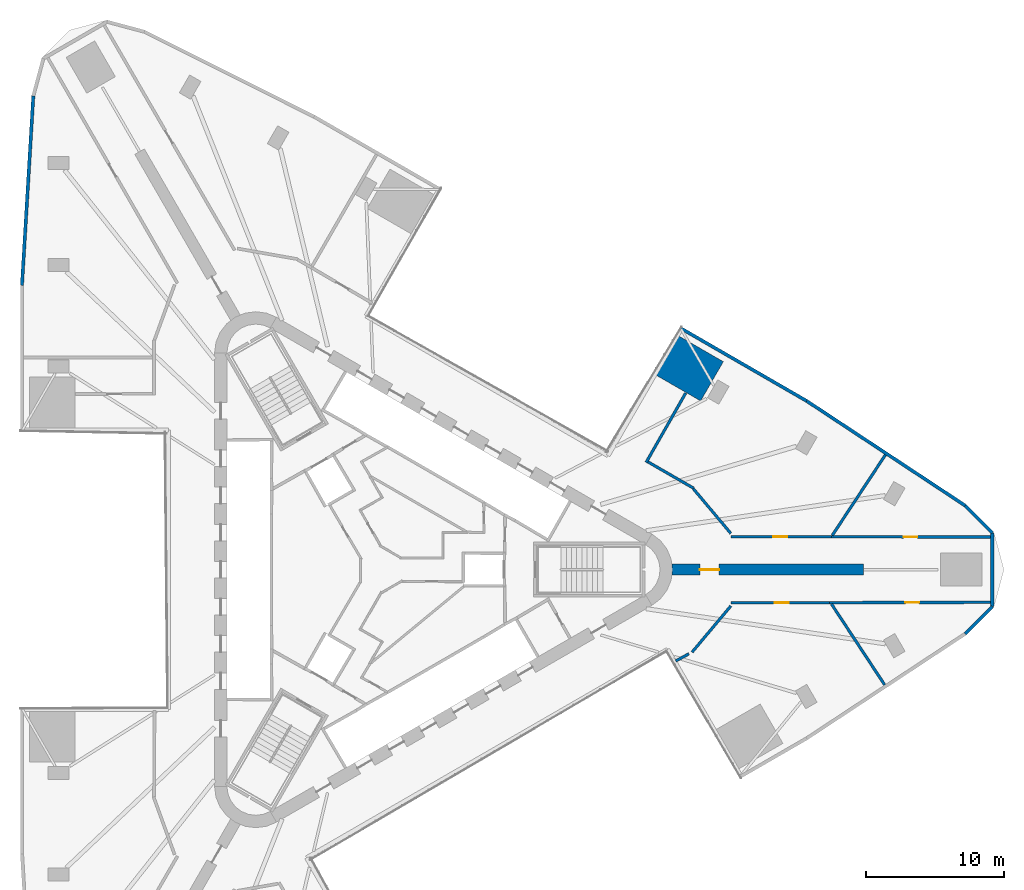
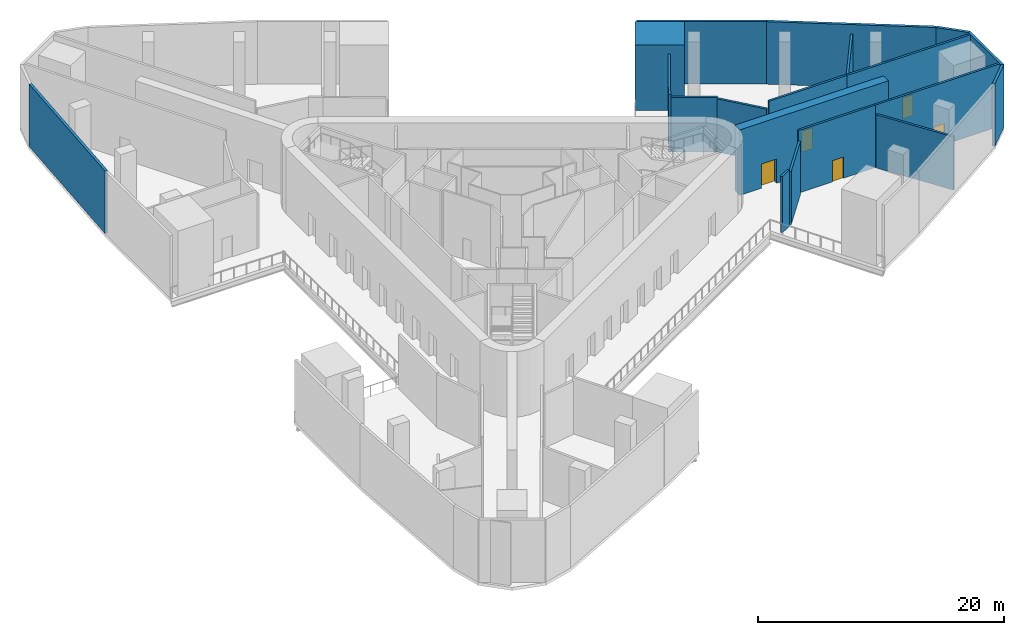
# One storey, part 7 of 11: 19 walls, 5 doors, 5 openings.
"""IFC4 building model written with IfcOpenShell, lengths in metres."""

from ifc_helpers import new_model, si_unit, direction, frame, frame_2d, origin, place, context, subcontext, project, spatial, polyline, rectangle, outline, extrude, material, layer, layer_set, type_object, element, fill, save


model = new_model("IFC4")

# Units and contexts
model_context = context("Model", 3, precision=1e-05, world=origin(), true_north=direction((0.0, 1.0)))
body_context = subcontext(model_context, "Body", "Model", "MODEL_VIEW")
ifc_project = project(units=[si_unit("LENGTHUNIT", "METRE"), si_unit("AREAUNIT", "SQUARE_METRE"), si_unit("VOLUMEUNIT", "CUBIC_METRE"), si_unit("PLANEANGLEUNIT", "RADIAN"), si_unit("MASSUNIT", "GRAM", prefix="KILO")], contexts=[model_context])

# Site, building, storey
site_placement = place(None, origin())
site = spatial("IfcSite", under=ifc_project, at=site_placement, CompositionType="ELEMENT")
building_placement = place(site_placement, origin())
building = spatial("IfcBuilding", under=site, at=building_placement, Name="Tanit Gate Tower", CompositionType="ELEMENT")
storey_placement = place(building_placement, frame((0.0, 0.0, 9.0)))
storey = spatial("IfcBuildingStorey", under=building, at=storey_placement, Name="L01", CompositionType="ELEMENT", Elevation=9.0)

# Wall, opening, door
ifc_material_1 = material(Name="Concrete C60/75", Category="concrete")
ifc_layer_1 = layer(ifc_material_1, 0.800048828125)
ifc_layer_set_1 = layer_set([ifc_layer_1], Name="BUTTRESS FIN 800 C60/75")
wall_type_1 = type_object("IfcWallType", Name="BUTTRESS FIN 800 C60/75", PredefinedType="SHEAR", material=ifc_layer_set_1)
wall_1_placement = place(storey_placement, frame((21.14990234375, 0.0, 0.0), z_axis=(0.0, 0.0, 1.0), x_axis=(1.0, 0.0, 0.0)))
wall_1 = element("IfcWall", 1, at=wall_1_placement, inside=storey, type_object=wall_type_1, Name="BUTTRESS FIN", PredefinedType="SHEAR", context=body_context, shape_type="SweptSolid", body=[
    extrude(rectangle(XDim=13.9541015625, YDim=0.800048828125, at=frame_2d((6.97705078125, 0.0))), origin(), (0.0, 0.0, 1.0), 6.5),
])
opening_1_placement = place(wall_1_placement, frame((2.050048828125, 0.0, 0.0)))
opening_1 = element("IfcOpeningElement", 2, at=opening_1_placement, cuts=wall_1, Name="Opening P14-01-F-E-1", PredefinedType="OPENING", context=body_context, shape_type="SweptSolid", body=[
    extrude(rectangle(XDim=1.39990234375, YDim=2.39990234375, at=frame_2d((0.699951171875, 1.199951171875))), frame((0.0, 0.41015625, 0.0), z_axis=(0.0, -1.0, 0.0), x_axis=(1.0, 0.0, 0.0)), (0.0, 0.0, 1.0), 0.820068359375),
])
ifc_material_2 = material(Name="Timber door leaf", Category="wood")
door_type_1 = type_object("IfcDoorType", Name="INT-DOOR-FIN-PAIR-1400", OperationType="NOTDEFINED", PredefinedType="NOTDEFINED", material=ifc_material_2)
door_1_placement = place(opening_1_placement, origin())
door_1 = element("IfcDoor", 3, at=door_1_placement, inside=storey, type_object=door_type_1, Name="Door P14-01-F-E-1", OperationType="DOUBLE_DOOR_SINGLE_SWING", OverallHeight=2.39990234375, OverallWidth=1.39990234375, PredefinedType="NOTDEFINED", context=body_context, shape_type="SweptSolid", body=[
    extrude(rectangle(XDim=1.39990234375, YDim=2.39990234375, at=frame_2d((0.699951171875, 1.199951171875))), frame((0.0, 0.02490234375, 0.0), z_axis=(0.0, -1.0, 0.0), x_axis=(1.0, 0.0, 0.0)), (0.0, 0.0, 1.0), 0.050048828125),
])
fill(opening_1, door_1)

# Walls
ifc_material_3 = material(Name="Concrete C30/37 with bronze anodised aluminium cladding", Category="concrete")
ifc_layer_2 = layer(ifc_material_3, 0.239990234375)
ifc_layer_set_2 = layer_set([ifc_layer_2], Name="Facade wall bronze clad 240")
wall_type_2 = type_object("IfcWallType", Name="Facade wall bronze clad 240", PredefinedType="SOLIDWALL", material=ifc_layer_set_2)
wall_2_placement = place(storey_placement, frame((42.4873046875, 4.665771484375, 0.0), z_axis=(0.0, 0.0, 1.0), x_axis=(-0.834569880428, 0.550902091739, 0.0)))
element("IfcWall", 4, at=wall_2_placement, inside=storey, type_object=wall_type_2, Name="Bronze-clad facade wall L01 NE1", PredefinedType="SOLIDWALL", context=body_context, shape_type="SweptSolid", body=[
    extrude(rectangle(XDim=13.801513671875, YDim=0.239990234375, at=frame_2d((6.90087890625, 0.0))), origin(), (0.0, 0.0, 1.0), 6.199951171875),
])
wall_3_placement = place(storey_placement, frame((30.968994140625, 12.26904296875, 0.0), z_axis=(0.0, 0.0, 1.0), x_axis=(-0.86605207128, 0.499953807697, 0.0)))
element("IfcWall", 5, at=wall_3_placement, inside=storey, type_object=wall_type_2, Name="Bronze-clad facade wall L01 NE2a", PredefinedType="SOLIDWALL", context=body_context, shape_type="SweptSolid", body=[
    extrude(rectangle(XDim=10.56591796875, YDim=0.239990234375, at=frame_2d((5.282958984375, 0.0))), origin(), (0.0, 0.0, 1.0), 6.199951171875),
])
wall_4_placement = place(storey_placement, frame((-25.284423828125, 34.462158203125, 0.0), z_axis=(0.0, 0.0, 1.0), x_axis=(-0.059807686217, -0.998209918138, 0.0)))
element("IfcWall", 6, at=wall_4_placement, inside=storey, type_object=wall_type_2, Name="Bronze-clad facade wall L01 W1", PredefinedType="SOLIDWALL", context=body_context, shape_type="SweptSolid", body=[
    extrude(rectangle(XDim=13.801513671875, YDim=0.239990234375, at=frame_2d((6.90087890625, 0.0))), origin(), (0.0, 0.0, 1.0), 6.199951171875),
])
wall_5_placement = place(storey_placement, frame((42.4873046875, -4.665771484375, 0.0), z_axis=(0.0, 0.0, 1.0), x_axis=(0.707106781187, 0.707106781187, 0.0)))
element("IfcWall", 7, at=wall_5_placement, inside=storey, type_object=wall_type_2, Name="Bronze-clad facade wall L01 E.arc1", PredefinedType="SOLIDWALL", context=body_context, shape_type="SweptSolid", body=[
    extrude(rectangle(XDim=2.800537109375, YDim=0.239990234375, at=frame_2d((1.400390625, 0.0))), origin(), (0.0, 0.0, 1.0), 6.199951171875),
])
wall_6_placement = place(storey_placement, frame((44.467529296875, -2.685546875, 0.0), z_axis=(0.0, 0.0, 1.0), x_axis=(0.0, 1.0, 0.0)))
element("IfcWall", 8, at=wall_6_placement, inside=storey, type_object=wall_type_2, Name="Bronze-clad facade wall L01 E.arc2", PredefinedType="SOLIDWALL", context=body_context, shape_type="SweptSolid", body=[
    extrude(rectangle(XDim=5.37109375, YDim=0.239990234375, at=frame_2d((2.685546875, 0.0))), origin(), (0.0, 0.0, 1.0), 6.199951171875),
])
wall_7_placement = place(storey_placement, frame((44.467529296875, 2.685546875, 0.0), z_axis=(0.0, 0.0, 1.0), x_axis=(-0.707106781187, 0.707106781187, 0.0)))
element("IfcWall", 9, at=wall_7_placement, inside=storey, type_object=wall_type_2, Name="Bronze-clad facade wall L01 E.arc3", PredefinedType="SOLIDWALL", context=body_context, shape_type="SweptSolid", body=[
    extrude(rectangle(XDim=2.800537109375, YDim=0.239990234375, at=frame_2d((1.400390625, 0.0))), origin(), (0.0, 0.0, 1.0), 6.199951171875),
])

# Wall, opening, door
ifc_material_4 = material(Name="Fire-rated gypsum board partition")
ifc_layer_3 = layer(ifc_material_4, 0.199951171875)
ifc_layer_set_3 = layer_set([ifc_layer_3], Name="INT-WALL-COMPARTMENT")
wall_type_3 = type_object("IfcWallType", Name="INT-WALL-COMPARTMENT", PredefinedType="PARTITIONING", material=ifc_layer_set_3)
wall_8_placement = place(storey_placement, frame((32.756103515625, 2.39990234375, 0.0), z_axis=(0.0, 0.0, 1.0), x_axis=(0.999996963628, -0.002464291772, 0.0)))
wall_8 = element("IfcWall", 10, at=wall_8_placement, inside=storey, type_object=wall_type_3, Name="Wall Compartment W106", PredefinedType="PARTITIONING", context=body_context, shape_type="SweptSolid", body=[
    extrude(rectangle(XDim=11.59130859375, YDim=0.199951171875, at=frame_2d((5.795654296875, 0.0))), origin(), (0.0, 0.0, 1.0), 6.199951171875),
])
opening_2_placement = place(wall_8_placement, frame((5.250244140625, 0.0, 0.0)))
opening_2 = element("IfcOpeningElement", 11, at=opening_2_placement, cuts=wall_8, Name="Opening F10-01-21", PredefinedType="OPENING", context=body_context, shape_type="SweptSolid", body=[
    extrude(rectangle(XDim=1.0, YDim=2.10009765625, at=frame_2d((0.5, 1.050048828125))), frame((0.0, 0.10986328125, 0.0), z_axis=(0.0, -1.0, 0.0), x_axis=(1.0, 0.0, 0.0)), (0.0, 0.0, 1.0), 0.219970703125),
])
ifc_material_5 = material(Name="Fire-rated steel door leaf", Category="steel")
door_type_2 = type_object("IfcDoorType", Name="INT-DOOR-FIRE-1000", OperationType="NOTDEFINED", PredefinedType="USERDEFINED", material=ifc_material_5)
door_2_placement = place(opening_2_placement, origin())
door_2 = element("IfcDoor", 12, at=door_2_placement, inside=storey, type_object=door_type_2, Name="Door F10-01-21", ObjectType="FIRE DOOR", OperationType="SINGLE_SWING_LEFT", OverallHeight=2.10009765625, OverallWidth=1.0, PredefinedType="USERDEFINED", context=body_context, shape_type="SweptSolid", body=[
    extrude(rectangle(XDim=1.0, YDim=2.10009765625, at=frame_2d((0.5, 1.050048828125))), frame((0.0, 0.02490234375, 0.0), z_axis=(0.0, -1.0, 0.0), x_axis=(1.0, 0.0, 0.0)), (0.0, 0.0, 1.0), 0.050048828125),
])
fill(opening_2, door_2)

# Walls
wall_9_placement = place(storey_placement, frame((19.286865234375, 7.802001953125, 0.0), z_axis=(0.0, 0.0, 1.0), x_axis=(0.495232573408, 0.868760437771, 0.0)))
element("IfcWall", 13, at=wall_9_placement, inside=storey, type_object=wall_type_3, Name="Wall Compartment W107", PredefinedType="PARTITIONING", context=body_context, shape_type="SweptSolid", body=[
    extrude(rectangle(XDim=5.803466796875, YDim=0.199951171875, at=frame_2d((2.90185546875, 0.0))), origin(), (0.0, 0.0, 1.0), 5.669921875),
])
wall_10_placement = place(storey_placement, frame((22.727294921875, 5.930908203125, 0.0), z_axis=(0.0, 0.0, 1.0), x_axis=(-0.865993775728, 0.500054777399, 0.0)))
element("IfcWall", 14, at=wall_10_placement, inside=storey, type_object=wall_type_3, Name="Wall Compartment W108", PredefinedType="PARTITIONING", context=body_context, shape_type="SweptSolid", body=[
    extrude(rectangle(XDim=3.8154296875, YDim=0.199951171875, at=frame_2d((1.90771484375, 0.0))), origin(), (0.0, 0.0, 1.0), 5.3798828125),
])
wall_11_placement = place(storey_placement, frame((25.4462890625, 2.637451171875, 0.0), z_axis=(0.0, 0.0, 1.0), x_axis=(-0.642821465925, 0.766016033087, 0.0)))
element("IfcWall", 15, at=wall_11_placement, inside=storey, type_object=wall_type_3, Name="Wall Compartment W109", PredefinedType="PARTITIONING", context=body_context, shape_type="SweptSolid", body=[
    extrude(rectangle(XDim=4.2646484375, YDim=0.199951171875, at=frame_2d((2.13232421875, 0.0))), origin(), (0.0, 0.0, 1.0), 5.280029296875),
])

# Wall, opening, door
wall_12_placement = place(storey_placement, frame((25.447509765625, 2.400146484375, 0.0), z_axis=(0.0, 0.0, 1.0), x_axis=(0.999999999442, -3.3404596e-05, 0.0)))
wall_12 = element("IfcWall", 16, at=wall_12_placement, inside=storey, type_object=wall_type_3, Name="Wall Compartment W110", PredefinedType="PARTITIONING", context=body_context, shape_type="SweptSolid", body=[
    extrude(rectangle(XDim=7.30859375, YDim=0.199951171875, at=frame_2d((3.654296875, 0.0))), origin(), (0.0, 0.0, 1.0), 6.199951171875),
])
opening_3_placement = place(wall_12_placement, frame((3.09521484375, 0.0, 0.0)))
opening_3 = element("IfcOpeningElement", 17, at=opening_3_placement, cuts=wall_12, Name="Opening F10-01-22", PredefinedType="OPENING", context=body_context, shape_type="SweptSolid", body=[
    extrude(rectangle(XDim=1.0, YDim=2.10009765625, at=frame_2d((0.5, 1.050048828125))), frame((0.0, 0.10986328125, 0.0), z_axis=(0.0, -1.0, 0.0), x_axis=(1.0, 0.0, 0.0)), (0.0, 0.0, 1.0), 0.219970703125),
])
door_3_placement = place(opening_3_placement, origin())
door_3 = element("IfcDoor", 18, at=door_3_placement, inside=storey, type_object=door_type_2, Name="Door F10-01-22", ObjectType="FIRE DOOR", OperationType="SINGLE_SWING_LEFT", OverallHeight=2.10009765625, OverallWidth=1.0, PredefinedType="USERDEFINED", context=body_context, shape_type="SweptSolid", body=[
    extrude(rectangle(XDim=1.0, YDim=2.10009765625, at=frame_2d((0.5, 1.050048828125))), frame((0.0, 0.02490234375, 0.0), z_axis=(0.0, -1.0, 0.0), x_axis=(1.0, 0.0, 0.0)), (0.0, 0.0, 1.0), 0.050048828125),
])
fill(opening_3, door_3)

# Wall
wall_13_placement = place(storey_placement, frame((32.82470703125, 2.499755859375, 0.0), z_axis=(0.0, 0.0, 1.0), x_axis=(0.550906775361, 0.834566788736, 0.0)))
element("IfcWall", 19, at=wall_13_placement, inside=storey, type_object=wall_type_3, Name="Wall Compartment W115", PredefinedType="PARTITIONING", context=body_context, shape_type="SweptSolid", body=[
    extrude(rectangle(XDim=7.005859375, YDim=0.199951171875, at=frame_2d((3.5029296875, 0.0))), origin(), (0.0, 0.0, 1.0), 5.280029296875),
])

# Wall, opening, door
wall_14_placement = place(storey_placement, frame((32.638671875, -2.39990234375, 0.0), z_axis=(0.0, 0.0, 1.0), x_axis=(-0.999999999424, -3.3950093e-05, 0.0)))
wall_14 = element("IfcWall", 20, at=wall_14_placement, inside=storey, type_object=wall_type_3, Name="Wall Compartment W121", PredefinedType="PARTITIONING", context=body_context, shape_type="SweptSolid", body=[
    extrude(rectangle(XDim=7.191162109375, YDim=0.199951171875, at=frame_2d((3.595703125, 0.0))), origin(), (0.0, 0.0, 1.0), 6.199951171875),
])
opening_4_placement = place(wall_14_placement, frame((2.992431640625, 0.0, 0.0)))
opening_4 = element("IfcOpeningElement", 21, at=opening_4_placement, cuts=wall_14, Name="Opening F10-01-27", PredefinedType="OPENING", context=body_context, shape_type="SweptSolid", body=[
    extrude(rectangle(XDim=1.0, YDim=2.10009765625, at=frame_2d((0.5, 1.050048828125))), frame((0.0, 0.10986328125, 0.0), z_axis=(0.0, -1.0, 0.0), x_axis=(1.0, 0.0, 0.0)), (0.0, 0.0, 1.0), 0.219970703125),
])
door_4_placement = place(opening_4_placement, origin())
door_4 = element("IfcDoor", 22, at=door_4_placement, inside=storey, type_object=door_type_2, Name="Door F10-01-27", ObjectType="FIRE DOOR", OperationType="SINGLE_SWING_LEFT", OverallHeight=2.10009765625, OverallWidth=1.0, PredefinedType="USERDEFINED", context=body_context, shape_type="SweptSolid", body=[
    extrude(rectangle(XDim=1.0, YDim=2.10009765625, at=frame_2d((0.5, 1.050048828125))), frame((0.0, 0.02490234375, 0.0), z_axis=(0.0, -1.0, 0.0), x_axis=(1.0, 0.0, 0.0)), (0.0, 0.0, 1.0), 0.050048828125),
])
fill(opening_4, door_4)

# Walls
wall_15_placement = place(storey_placement, frame((22.628662109375, -5.995361328125, 0.0), z_axis=(0.0, 0.0, 1.0), x_axis=(0.642788383403, 0.766043793893, 0.0)))
element("IfcWall", 23, at=wall_15_placement, inside=storey, type_object=wall_type_3, Name="Wall Compartment W122", PredefinedType="PARTITIONING", context=body_context, shape_type="SweptSolid", body=[
    extrude(rectangle(XDim=4.383544921875, YDim=0.199951171875, at=frame_2d((2.19189453125, 0.0))), origin(), (0.0, 0.0, 1.0), 5.280029296875),
])
wall_16_placement = place(storey_placement, frame((21.4375, -6.640869140625, 0.0), z_axis=(0.0, 0.0, 1.0), x_axis=(0.876812408671, 0.480832611207, 0.0)))
element("IfcWall", 24, at=wall_16_placement, inside=storey, type_object=wall_type_3, Name="Wall Compartment W123", PredefinedType="PARTITIONING", context=body_context, shape_type="SweptSolid", body=[
    extrude(rectangle(XDim=1.09619140625, YDim=0.199951171875, at=frame_2d((0.548095703125, 0.0))), origin(), (0.0, 0.0, 1.0), 5.580078125),
])

# Wall, opening, door
wall_17_placement = place(storey_placement, frame((44.347412109375, -2.371337890625, 0.0), z_axis=(0.0, 0.0, 1.0), x_axis=(-0.999996973144, -0.002460427507, 0.0)))
wall_17 = element("IfcWall", 25, at=wall_17_placement, inside=storey, type_object=wall_type_3, Name="Wall Compartment W124", PredefinedType="PARTITIONING", context=body_context, shape_type="SweptSolid", body=[
    extrude(rectangle(XDim=11.708740234375, YDim=0.199951171875, at=frame_2d((5.8544921875, 0.0))), origin(), (0.0, 0.0, 1.0), 6.199951171875),
])
opening_5_placement = place(wall_17_placement, frame((5.202880859375, 0.0, 0.0)))
opening_5 = element("IfcOpeningElement", 26, at=opening_5_placement, cuts=wall_17, Name="Opening F10-01-28", PredefinedType="OPENING", context=body_context, shape_type="SweptSolid", body=[
    extrude(rectangle(XDim=1.0, YDim=2.10009765625, at=frame_2d((0.5, 1.050048828125))), frame((0.0, 0.10986328125, 0.0), z_axis=(0.0, -1.0, 0.0), x_axis=(1.0, 0.0, 0.0)), (0.0, 0.0, 1.0), 0.219970703125),
])
door_5_placement = place(opening_5_placement, origin())
door_5 = element("IfcDoor", 27, at=door_5_placement, inside=storey, type_object=door_type_2, Name="Door F10-01-28", ObjectType="FIRE DOOR", OperationType="SINGLE_SWING_LEFT", OverallHeight=2.10009765625, OverallWidth=1.0, PredefinedType="USERDEFINED", context=body_context, shape_type="SweptSolid", body=[
    extrude(rectangle(XDim=1.0, YDim=2.10009765625, at=frame_2d((0.5, 1.050048828125))), frame((0.0, 0.02490234375, 0.0), z_axis=(0.0, -1.0, 0.0), x_axis=(1.0, 0.0, 0.0)), (0.0, 0.0, 1.0), 0.050048828125),
])
fill(opening_5, door_5)

# Walls
wall_18_placement = place(storey_placement, frame((36.633544921875, -8.37841796875, 0.0), z_axis=(0.0, 0.0, 1.0), x_axis=(-0.5495005071, 0.835493382796, 0.0)))
element("IfcWall", 28, at=wall_18_placement, inside=storey, type_object=wall_type_3, Name="Wall Compartment W126", PredefinedType="PARTITIONING", context=body_context, shape_type="SweptSolid", body=[
    extrude(rectangle(XDim=7.035888671875, YDim=0.199951171875, at=frame_2d((3.51806640625, 0.0))), origin(), (0.0, 0.0, 1.0), 5.280029296875),
])
ifc_material_6 = material(Name="Concrete C60/75", Category="concrete")
ifc_layer_4 = layer(ifc_material_6, 4.0)
ifc_layer_set_4 = layer_set([ifc_layer_4], Name="PIER WALL 4000 C60/75")
wall_type_4 = type_object("IfcWallType", Name="PIER WALL 4000 C60/75", PredefinedType="SHEAR", material=ifc_layer_set_4)
wall_19_placement = place(storey_placement, origin())
element("IfcWall", 29, at=wall_19_placement, inside=storey, type_object=wall_type_4, Name="PIER WALL", PredefinedType="SHEAR", context=body_context, shape_type="SweptSolid", body=[
    extrude(outline(polyline([(24.901123046875, 15.1298828125), (21.43701171875, 17.1298828125), (19.787109375, 14.27197265625), (23.251220703125, 12.27197265625), (24.901123046875, 15.1298828125)])), origin(), (0.0, 0.0, 1.0), 6.5),
])

save(model, "model.ifc")
